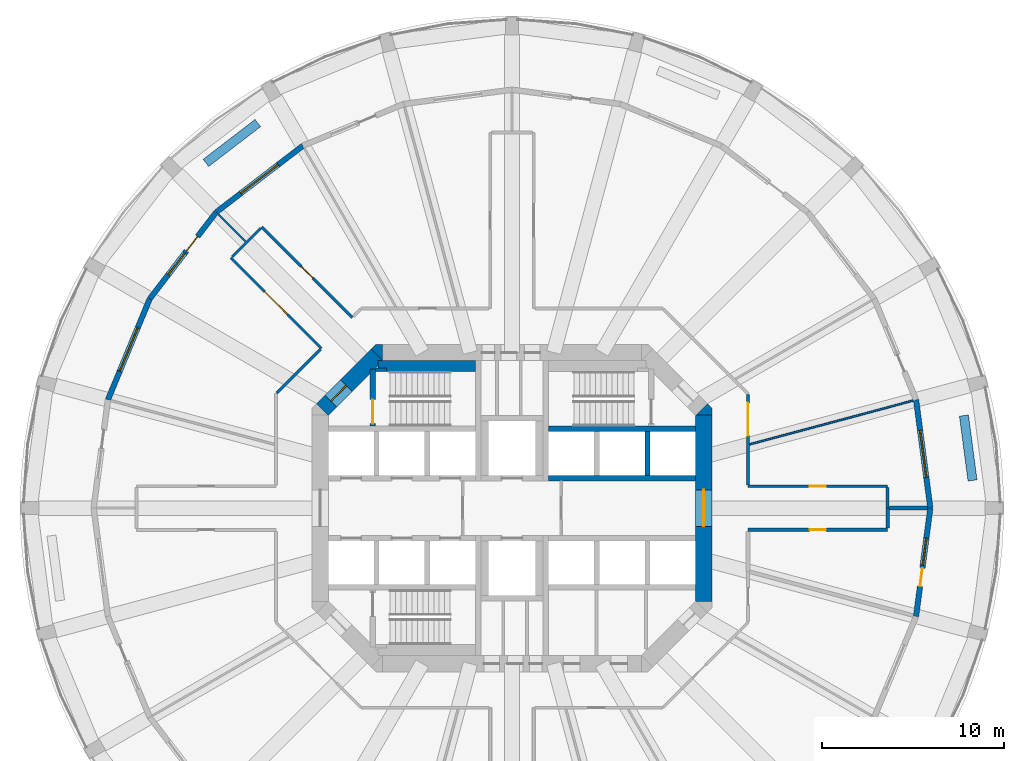
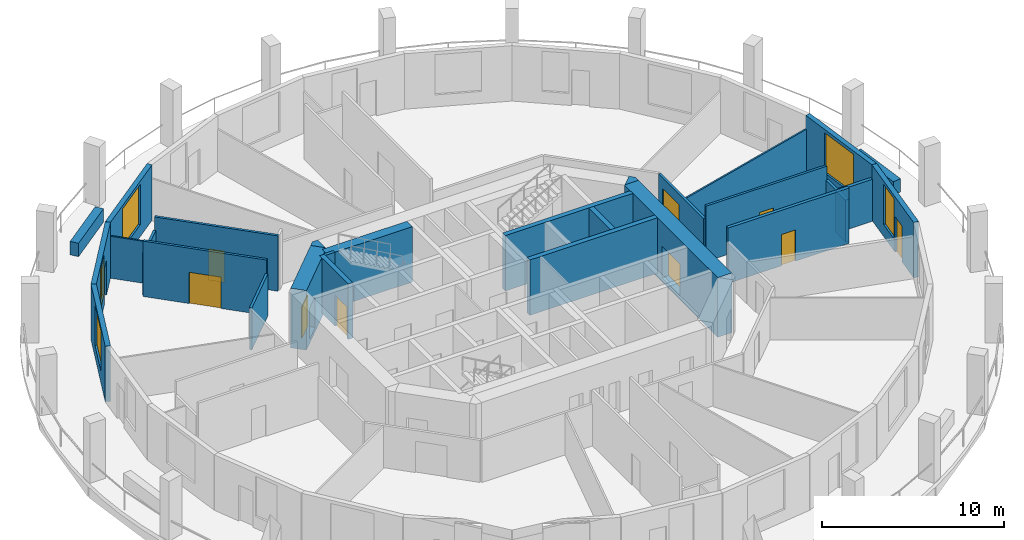
# One storey, part 5 of 9: 29 walls, 10 doors, 5 windows, 15 openings.
"""IFC4 building model written with IfcOpenShell, lengths in metres."""

from ifc_helpers import new_model, si_unit, direction, frame, frame_2d, origin, place, context, subcontext, project, spatial, polyline, rectangle, outline, extrude, material, layer, layer_set, type_object, element, fill, save


model = new_model("IFC4")

# Units and contexts
model_context = context("Model", 3, precision=1e-05, world=origin(), true_north=direction((0.0, 1.0)))
body_context = subcontext(model_context, "Body", "Model", "MODEL_VIEW")
ifc_project = project(units=[si_unit("LENGTHUNIT", "METRE"), si_unit("AREAUNIT", "SQUARE_METRE"), si_unit("VOLUMEUNIT", "CUBIC_METRE"), si_unit("PLANEANGLEUNIT", "RADIAN"), si_unit("MASSUNIT", "GRAM", prefix="KILO")], contexts=[model_context])

# Site, building, storey
site_placement = place(None, origin())
site = spatial("IfcSite", under=ifc_project, at=site_placement, CompositionType="ELEMENT")
building_placement = place(site_placement, origin())
building = spatial("IfcBuilding", under=site, at=building_placement, Name="Torre Triforio", CompositionType="ELEMENT")
storey_placement = place(building_placement, frame((0.0, 0.0, 71.0)))
storey = spatial("IfcBuildingStorey", under=building, at=storey_placement, Name="L15", CompositionType="ELEMENT", Elevation=71.0)

# Wall, opening, door
ifc_material_1 = material(Name="Concrete C60", Category="concrete")
ifc_layer_1 = layer(ifc_material_1, 0.89990234375)
ifc_layer_set_1 = layer_set([ifc_layer_1], Name="Concrete C60")
wall_type_1 = type_object("IfcWallType", Name="Core wall 900 mm C60 EI 120", PredefinedType="SHEAR", material=ifc_layer_set_1)
wall_1_placement = place(storey_placement, frame((10.550048828125, -5.1298828125, -0.280029296875), z_axis=(0.0, 0.0, 1.0), x_axis=(0.0, 1.0, 0.0)))
wall_1 = element("IfcWall", 1, at=wall_1_placement, inside=storey, type_object=wall_type_1, Name="Core wall", PredefinedType="SHEAR", context=body_context, shape_type="SweptSolid", body=[
    extrude(rectangle(XDim=10.259765625, YDim=0.89990234375, at=frame_2d((5.1298828125, 0.0))), origin(), (0.0, 0.0, 1.0), 4.0),
])
opening_1_placement = place(wall_1_placement, frame((4.1298828125, 0.0, 0.280029296875)))
opening_1 = element("IfcOpeningElement", 2, at=opening_1_placement, cuts=wall_1, Name="Opening E-RING", PredefinedType="OPENING", context=body_context, shape_type="SweptSolid", body=[
    extrude(rectangle(XDim=2.0, YDim=2.10009765625, at=frame_2d((1.0, 1.050048828125))), frame((0.0, 0.4599609375, 0.0), z_axis=(0.0, -1.0, 0.0), x_axis=(1.0, 0.0, 0.0)), (0.0, 0.0, 1.0), 0.919921875),
])
ifc_material_2 = material(Name="Hollow metal fire door leaf")
door_type_1 = type_object("IfcDoorType", Name="Lobby door 2000 x 2100 EI 60", OperationType="DOUBLE_DOOR_SINGLE_SWING", PredefinedType="DOOR", material=ifc_material_2)
door_1_placement = place(opening_1_placement, origin())
door_1 = element("IfcDoor", 3, at=door_1_placement, inside=storey, type_object=door_type_1, Name="Core door E-RING", OperationType="DOUBLE_DOOR_SINGLE_SWING", OverallHeight=2.10009765625, OverallWidth=2.0, PredefinedType="DOOR", context=body_context, shape_type="SweptSolid", body=[
    extrude(rectangle(XDim=2.0, YDim=2.10009765625, at=frame_2d((1.0, 1.050048828125))), frame((0.0, 0.02490234375, 0.0), z_axis=(0.0, -1.0, 0.0), x_axis=(1.0, 0.0, 0.0)), (0.0, 0.0, 1.0), 0.050048828125),
])
fill(opening_1, door_1)

wall_2_placement = place(storey_placement, frame((-10.418212890625, 5.418212890625, -0.280029296875), z_axis=(0.0, 0.0, 1.0), x_axis=(0.707106781187, 0.707106781187, 0.0)))
wall_2 = element("IfcWall", 4, at=wall_2_placement, inside=storey, type_object=wall_type_1, Name="Core wall", PredefinedType="SHEAR", context=body_context, shape_type="SweptSolid", body=[
    extrude(rectangle(XDim=4.24267578125, YDim=0.89990234375, at=frame_2d((2.121337890625, 0.0))), origin(), (0.0, 0.0, 1.0), 4.0),
])
opening_2_placement = place(wall_2_placement, frame((0.64990234375, 0.0, 0.280029296875)))
opening_2 = element("IfcOpeningElement", 5, at=opening_2_placement, cuts=wall_2, Name="Opening ST1-EXIT", PredefinedType="OPENING", context=body_context, shape_type="SweptSolid", body=[
    extrude(rectangle(XDim=1.199951171875, YDim=2.10009765625, at=frame_2d((0.60009765625, 1.050048828125))), frame((0.0, 0.4599609375, 0.0), z_axis=(0.0, -1.0, 0.0), x_axis=(1.0, 0.0, 0.0)), (0.0, 0.0, 1.0), 0.919921875),
])
door_type_2 = type_object("IfcDoorType", Name="Stair lobby door 1200 x 2100 EI 60", OperationType="NOTDEFINED", PredefinedType="DOOR", material=ifc_material_2)
door_2_placement = place(opening_2_placement, origin())
door_2 = element("IfcDoor", 6, at=door_2_placement, inside=storey, type_object=door_type_2, Name="Core door ST1-EXIT", OperationType="SINGLE_SWING_RIGHT", OverallHeight=2.10009765625, OverallWidth=1.199951171875, PredefinedType="DOOR", context=body_context, shape_type="SweptSolid", body=[
    extrude(rectangle(XDim=1.199951171875, YDim=2.10009765625, at=frame_2d((0.60009765625, 1.050048828125))), frame((0.0, 0.02490234375, 0.0), z_axis=(0.0, -1.0, 0.0), x_axis=(1.0, 0.0, 0.0)), (0.0, 0.0, 1.0), 0.050048828125),
])
fill(opening_2, door_2)

# Walls
wall_3_placement = place(storey_placement, frame((0.0, 0.0, -0.280029296875)))
element("IfcWall", 7, at=wall_3_placement, inside=storey, type_object=wall_type_1, Name="Core wall", PredefinedType="SHEAR", context=body_context, shape_type="SweptSolid", body=[
    extrude(outline(polyline([(11.0, 5.472900390625), (11.0, 5.1298828125), (10.1298828125, 5.1298828125), (10.736328125, 5.736328125), (11.0, 5.472900390625)])), origin(), (0.0, 0.0, 1.0), 4.0),
])
wall_4_placement = place(storey_placement, frame((0.0, 0.0, -0.280029296875)))
element("IfcWall", 8, at=wall_4_placement, inside=storey, type_object=wall_type_1, Name="Core wall", PredefinedType="SHEAR", context=body_context, shape_type="SweptSolid", body=[
    extrude(outline(polyline([(-7.472900390625, 9.0), (-7.1298828125, 9.0), (-7.1298828125, 8.1298828125), (-7.736328125, 8.736328125), (-7.472900390625, 9.0)])), origin(), (0.0, 0.0, 1.0), 4.0),
])
ifc_material_3 = material(Name="Plasterboard on metal studs")
ifc_layer_2 = layer(ifc_material_3, 0.14990234375)
ifc_layer_set_2 = layer_set([ifc_layer_2], Name="Plasterboard on metal studs")
wall_type_2 = type_object("IfcWallType", Name="Corridor and tenancy wall 150 mm EI 60", PredefinedType="PARTITIONING", material=ifc_layer_set_2)
wall_5_placement = place(storey_placement, frame((-12.93798828125, 6.327880859375, 0.0), z_axis=(0.0, 0.0, 1.0), x_axis=(0.707106781187, 0.707106781187, 0.0)))
element("IfcWall", 9, at=wall_5_placement, inside=storey, type_object=wall_type_2, Name="Partition 7", PredefinedType="PARTITIONING", context=body_context, shape_type="SweptSolid", body=[
    extrude(rectangle(XDim=3.399169921875, YDim=0.14990234375, at=frame_2d((1.69970703125, 0.0))), origin(), (0.0, 0.0, 1.0), 2.820068359375),
])

# Wall, opening, door
wall_6_placement = place(storey_placement, frame((-10.4814453125, 8.784423828125, 0.0), z_axis=(0.0, 0.0, 1.0), x_axis=(-0.707124155885, 0.707089406061, 0.0)))
wall_6 = element("IfcWall", 10, at=wall_6_placement, inside=storey, type_object=wall_type_2, Name="Partition 8", PredefinedType="PARTITIONING", context=body_context, shape_type="SweptSolid", body=[
    extrude(rectangle(XDim=7.025634765625, YDim=0.14990234375, at=frame_2d((3.5126953125, 0.0))), origin(), (0.0, 0.0, 1.0), 3.719970703125),
])
opening_3_placement = place(wall_6_placement, frame((2.61279296875, 0.0, 0.0)))
opening_3 = element("IfcOpeningElement", 11, at=opening_3_placement, cuts=wall_6, Name="Opening N5-05", PredefinedType="OPENING", context=body_context, shape_type="SweptSolid", body=[
    extrude(rectangle(XDim=1.800048828125, YDim=2.10009765625, at=frame_2d((0.89990234375, 1.050048828125))), frame((0.0, 0.0849609375, 0.0), z_axis=(0.0, -1.0, 0.0), x_axis=(1.0, 0.0, 0.0)), (0.0, 0.0, 1.0), 0.169921875),
])
ifc_material_4 = material(Name="Timber", Category="wood")
door_type_3 = type_object("IfcDoorType", Name="Door 1800 x 2100 double leaf EI 30", OperationType="DOUBLE_DOOR_SINGLE_SWING", PredefinedType="DOOR", material=ifc_material_4)
door_3_placement = place(opening_3_placement, origin())
door_3 = element("IfcDoor", 12, at=door_3_placement, inside=storey, type_object=door_type_3, Name="Door N5-05", OperationType="DOUBLE_DOOR_SINGLE_SWING", OverallHeight=2.10009765625, OverallWidth=1.800048828125, PredefinedType="DOOR", context=body_context, shape_type="SweptSolid", body=[
    extrude(rectangle(XDim=1.800048828125, YDim=2.10009765625, at=frame_2d((0.89990234375, 1.050048828125))), frame((0.0, 0.02490234375, 0.0), z_axis=(0.0, -1.0, 0.0), x_axis=(1.0, 0.0, 0.0)), (0.0, 0.0, 1.0), 0.050048828125),
])
fill(opening_3, door_3)

# Wall
wall_7_placement = place(storey_placement, frame((-15.396240234375, 13.805419921875, 0.0), z_axis=(0.0, 0.0, 1.0), x_axis=(0.707106781187, 0.707106781187, 0.0)))
element("IfcWall", 13, at=wall_7_placement, inside=storey, type_object=wall_type_2, Name="Partition 9", PredefinedType="PARTITIONING", context=body_context, shape_type="SweptSolid", body=[
    extrude(rectangle(XDim=2.249755859375, YDim=0.14990234375, at=frame_2d((1.125, 0.0))), origin(), (0.0, 0.0, 1.0), 2.820068359375),
])

# Wall, opening, door
wall_8_placement = place(storey_placement, frame((-13.752197265625, 15.449462890625, 0.0), z_axis=(0.0, 0.0, 1.0), x_axis=(0.707089406061, -0.707124155885, 0.0)))
wall_8 = element("IfcWall", 14, at=wall_8_placement, inside=storey, type_object=wall_type_2, Name="Partition 10", PredefinedType="PARTITIONING", context=body_context, shape_type="SweptSolid", body=[
    extrude(rectangle(XDim=7.025634765625, YDim=0.14990234375, at=frame_2d((3.5126953125, 0.0))), origin(), (0.0, 0.0, 1.0), 3.719970703125),
])
opening_4_placement = place(wall_8_placement, frame((3.062744140625, 0.0, 0.0)))
opening_4 = element("IfcOpeningElement", 15, at=opening_4_placement, cuts=wall_8, Name="Opening N5-04", PredefinedType="OPENING", context=body_context, shape_type="SweptSolid", body=[
    extrude(rectangle(XDim=0.89990234375, YDim=2.10009765625, at=frame_2d((0.449951171875, 1.050048828125))), frame((0.0, 0.0849609375, 0.0), z_axis=(0.0, -1.0, 0.0), x_axis=(1.0, 0.0, 0.0)), (0.0, 0.0, 1.0), 0.169921875),
])
door_type_4 = type_object("IfcDoorType", Name="Door 900 x 2100 single leaf EI 30", OperationType="NOTDEFINED", PredefinedType="DOOR", material=ifc_material_4)
door_4_placement = place(opening_4_placement, origin())
door_4 = element("IfcDoor", 16, at=door_4_placement, inside=storey, type_object=door_type_4, Name="Door N5-04", OperationType="SINGLE_SWING_LEFT", OverallHeight=2.10009765625, OverallWidth=0.89990234375, PredefinedType="DOOR", context=body_context, shape_type="SweptSolid", body=[
    extrude(rectangle(XDim=0.89990234375, YDim=2.10009765625, at=frame_2d((0.449951171875, 1.050048828125))), frame((0.0, 0.02490234375, 0.0), z_axis=(0.0, -1.0, 0.0), x_axis=(1.0, 0.0, 0.0)), (0.0, 0.0, 1.0), 0.050048828125),
])
fill(opening_4, door_4)

wall_9_placement = place(storey_placement, frame((12.97509765625, 6.23828125, 0.0), z_axis=(0.0, 0.0, 1.0), x_axis=(0.0, -1.0, 0.0)))
wall_9 = element("IfcWall", 17, at=wall_9_placement, inside=storey, type_object=wall_type_2, Name="Partition 18", PredefinedType="PARTITIONING", context=body_context, shape_type="SweptSolid", body=[
    extrude(rectangle(XDim=4.96337890625, YDim=0.14990234375, at=frame_2d((2.481689453125, 0.0))), origin(), (0.0, 0.0, 1.0), 2.820068359375),
])
opening_5_placement = place(wall_9_placement, frame((0.455810546875, 0.0, 0.0)))
opening_5 = element("IfcOpeningElement", 18, at=opening_5_placement, cuts=wall_9, Name="Opening N5-16", PredefinedType="OPENING", context=body_context, shape_type="SweptSolid", body=[
    extrude(rectangle(XDim=1.800048828125, YDim=2.10009765625, at=frame_2d((0.89990234375, 1.050048828125))), frame((0.0, 0.0849609375, 0.0), z_axis=(0.0, -1.0, 0.0), x_axis=(1.0, 0.0, 0.0)), (0.0, 0.0, 1.0), 0.169921875),
])
door_5_placement = place(opening_5_placement, origin())
door_5 = element("IfcDoor", 19, at=door_5_placement, inside=storey, type_object=door_type_3, Name="Door N5-16", OperationType="DOUBLE_DOOR_SINGLE_SWING", OverallHeight=2.10009765625, OverallWidth=1.800048828125, PredefinedType="DOOR", context=body_context, shape_type="SweptSolid", body=[
    extrude(rectangle(XDim=1.800048828125, YDim=2.10009765625, at=frame_2d((0.89990234375, 1.050048828125))), frame((0.0, 0.02490234375, 0.0), z_axis=(0.0, -1.0, 0.0), x_axis=(1.0, 0.0, 0.0)), (0.0, 0.0, 1.0), 0.050048828125),
])
fill(opening_5, door_5)

wall_10_placement = place(storey_placement, frame((12.97509765625, 1.199951171875, 0.0), z_axis=(0.0, 0.0, 1.0), x_axis=(1.0, 0.0, 0.0)))
wall_10 = element("IfcWall", 20, at=wall_10_placement, inside=storey, type_object=wall_type_2, Name="Partition 19", PredefinedType="PARTITIONING", context=body_context, shape_type="SweptSolid", body=[
    extrude(rectangle(XDim=7.673583984375, YDim=0.14990234375, at=frame_2d((3.8369140625, 0.0))), origin(), (0.0, 0.0, 1.0), 3.719970703125),
])
opening_6_placement = place(wall_10_placement, frame((3.386962890625, 0.0, 0.0)))
opening_6 = element("IfcOpeningElement", 21, at=opening_6_placement, cuts=wall_10, Name="Opening N5-15", PredefinedType="OPENING", context=body_context, shape_type="SweptSolid", body=[
    extrude(rectangle(XDim=0.89990234375, YDim=2.10009765625, at=frame_2d((0.449951171875, 1.050048828125))), frame((0.0, 0.0849609375, 0.0), z_axis=(0.0, -1.0, 0.0), x_axis=(1.0, 0.0, 0.0)), (0.0, 0.0, 1.0), 0.169921875),
])
door_6_placement = place(opening_6_placement, origin())
door_6 = element("IfcDoor", 22, at=door_6_placement, inside=storey, type_object=door_type_4, Name="Door N5-15", OperationType="SINGLE_SWING_RIGHT", OverallHeight=2.10009765625, OverallWidth=0.89990234375, PredefinedType="DOOR", context=body_context, shape_type="SweptSolid", body=[
    extrude(rectangle(XDim=0.89990234375, YDim=2.10009765625, at=frame_2d((0.449951171875, 1.050048828125))), frame((0.0, 0.02490234375, 0.0), z_axis=(0.0, -1.0, 0.0), x_axis=(1.0, 0.0, 0.0)), (0.0, 0.0, 1.0), 0.050048828125),
])
fill(opening_6, door_6)

# Walls
wall_11_placement = place(storey_placement, frame((20.648681640625, 1.125, 0.0), z_axis=(0.0, 0.0, 1.0), x_axis=(0.0, -1.0, 0.0)))
element("IfcWall", 23, at=wall_11_placement, inside=storey, type_object=wall_type_2, Name="Partition 20", PredefinedType="PARTITIONING", context=body_context, shape_type="SweptSolid", body=[
    extrude(rectangle(XDim=1.125, YDim=0.14990234375, at=frame_2d((0.5625, 0.0))), origin(), (0.0, 0.0, 1.0), 2.820068359375),
])
ifc_layer_3 = layer(ifc_material_3, 0.10009765625)
ifc_layer_set_3 = layer_set([ifc_layer_3], Name="Plasterboard on metal studs")
wall_type_3 = type_object("IfcWallType", Name="Partition 100 mm board on metal studs", PredefinedType="PARTITIONING", material=ifc_layer_set_3)
wall_12_placement = place(storey_placement, frame((13.064208984375, 3.50048828125, 0.0), z_axis=(0.0, 0.0, 1.0), x_axis=(0.965922655056, 0.258830880017, 0.0)))
element("IfcWall", 24, at=wall_12_placement, inside=storey, type_object=wall_type_3, Name="Partition 32", PredefinedType="PARTITIONING", context=body_context, shape_type="SweptSolid", body=[
    extrude(rectangle(XDim=9.311767578125, YDim=0.10009765625, at=frame_2d((4.65576171875, 0.0))), origin(), (0.0, 0.0, 1.0), 2.820068359375),
])
wall_13_placement = place(storey_placement, frame((-14.65380859375, 14.65380859375, 0.0), z_axis=(0.0, 0.0, 1.0), x_axis=(-0.707106781187, 0.707106781187, 0.0)))
element("IfcWall", 25, at=wall_13_placement, inside=storey, type_object=wall_type_3, Name="Partition 37", PredefinedType="PARTITIONING", context=body_context, shape_type="SweptSolid", body=[
    extrude(rectangle(XDim=2.113037109375, YDim=0.10009765625, at=frame_2d((1.056640625, 0.0))), origin(), (0.0, 0.0, 1.0), 2.820068359375),
])
ifc_material_5 = material(Name="Masonry block", Category="masonry")
ifc_layer_4 = layer(ifc_material_5, 0.199951171875)
ifc_layer_set_4 = layer_set([ifc_layer_4], Name="Masonry block")
wall_type_4 = type_object("IfcWallType", Name="Plant room wall 200 mm block EI 120", PredefinedType="PARTITIONING", material=ifc_layer_set_4)
wall_14_placement = place(storey_placement, frame((20.648681640625, 0.0, 0.0), z_axis=(0.0, 0.0, 1.0), x_axis=(0.0, -1.0, 0.0)))
element("IfcWall", 26, at=wall_14_placement, inside=storey, type_object=wall_type_4, Name="Partition 21", PredefinedType="PARTITIONING", context=body_context, shape_type="SweptSolid", body=[
    extrude(rectangle(XDim=1.10009765625, YDim=0.199951171875, at=frame_2d((0.550048828125, 0.0))), origin(), (0.0, 0.0, 1.0), 2.820068359375),
])

# Wall, opening, door
wall_15_placement = place(storey_placement, frame((20.648681640625, -1.199951171875, 0.0), z_axis=(0.0, 0.0, 1.0), x_axis=(-1.0, 0.0, 0.0)))
wall_15 = element("IfcWall", 27, at=wall_15_placement, inside=storey, type_object=wall_type_4, Name="Partition 22", PredefinedType="PARTITIONING", context=body_context, shape_type="SweptSolid", body=[
    extrude(rectangle(XDim=7.673583984375, YDim=0.199951171875, at=frame_2d((3.8369140625, 0.0))), origin(), (0.0, 0.0, 1.0), 3.719970703125),
])
opening_7_placement = place(wall_15_placement, frame((3.386962890625, 0.0, 0.0)))
opening_7 = element("IfcOpeningElement", 28, at=opening_7_placement, cuts=wall_15, Name="Opening N5-14", PredefinedType="OPENING", context=body_context, shape_type="SweptSolid", body=[
    extrude(rectangle(XDim=0.89990234375, YDim=2.10009765625, at=frame_2d((0.449951171875, 1.050048828125))), frame((0.0, 0.10986328125, 0.0), z_axis=(0.0, -1.0, 0.0), x_axis=(1.0, 0.0, 0.0)), (0.0, 0.0, 1.0), 0.219970703125),
])
door_type_5 = type_object("IfcDoorType", Name="Door 900 x 2100 single leaf EI 60", OperationType="NOTDEFINED", PredefinedType="DOOR", material=ifc_material_2)
door_7_placement = place(opening_7_placement, origin())
door_7 = element("IfcDoor", 29, at=door_7_placement, inside=storey, type_object=door_type_5, Name="Door N5-14", OperationType="SINGLE_SWING_RIGHT", OverallHeight=2.10009765625, OverallWidth=0.89990234375, PredefinedType="DOOR", context=body_context, shape_type="SweptSolid", body=[
    extrude(rectangle(XDim=0.89990234375, YDim=2.10009765625, at=frame_2d((0.449951171875, 1.050048828125))), frame((0.0, 0.02490234375, 0.0), z_axis=(0.0, -1.0, 0.0), x_axis=(1.0, 0.0, 0.0)), (0.0, 0.0, 1.0), 0.050048828125),
])
fill(opening_7, door_7)

# Walls
wall_16_placement = place(storey_placement, frame((20.748779296875, 0.0, 0.0), z_axis=(0.0, 0.0, 1.0), x_axis=(1.0, 0.0, 0.0)))
element("IfcWall", 30, at=wall_16_placement, inside=storey, type_object=wall_type_4, Name="Partition 31", PredefinedType="PARTITIONING", context=body_context, shape_type="SweptSolid", body=[
    extrude(rectangle(XDim=2.087890625, YDim=0.199951171875, at=frame_2d((1.0439453125, 0.0))), origin(), (0.0, 0.0, 1.0), 2.820068359375),
])
ifc_material_6 = material(Name="Limestone cladding", Category="masonry")
ifc_layer_5 = layer(ifc_material_6, 0.10009765625)
ifc_material_7 = material(Name="Concrete C40", Category="concrete")
ifc_layer_6 = layer(ifc_material_7, 0.39990234375)
ifc_layer_set_5 = layer_set([ifc_layer_5, ifc_layer_6], Name="Limestone cladding / Concrete C40")
wall_type_5 = type_object("IfcWallType", Name="Planter wall 500", PredefinedType="PARAPET", material=ifc_layer_set_5)
wall_17_placement = place(storey_placement, frame((25.318603515625, 1.517578125, 0.0), z_axis=(0.0, 0.0, 1.0), x_axis=(-0.130542222659, 0.991442750795, 0.0)))
element("IfcWall", 31, at=wall_17_placement, inside=storey, type_object=wall_type_5, Name="Planter L15 bay 01", PredefinedType="PARAPET", context=body_context, shape_type="SweptSolid", body=[
    extrude(rectangle(XDim=3.60009765625, YDim=0.5, at=frame_2d((1.800048828125, 0.0))), origin(), (0.0, 0.0, 1.0), 0.89990234375),
])
wall_18_placement = place(storey_placement, frame((-13.9736328125, 21.16748046875, 0.0), z_axis=(0.0, 0.0, 1.0), x_axis=(-0.793359599829, -0.608753271334, 0.0)))
element("IfcWall", 32, at=wall_18_placement, inside=storey, type_object=wall_type_5, Name="Planter L15 bay 09", PredefinedType="PARAPET", context=body_context, shape_type="SweptSolid", body=[
    extrude(rectangle(XDim=3.599853515625, YDim=0.5, at=frame_2d((1.7998046875, 0.0))), origin(), (0.0, 0.0, 1.0), 0.89990234375),
])
ifc_layer_7 = layer(ifc_material_1, 0.300048828125)
ifc_layer_set_6 = layer_set([ifc_layer_7], Name="Concrete C60")
wall_type_6 = type_object("IfcWallType", Name="Shaft wall 300 mm C60 EI 120", PredefinedType="SOLIDWALL", material=ifc_layer_set_6)
for number, where, z_axis, x_axis, name in (
    (33, (2.0, 4.35009765625, 0.0), (0.0, 0.0, 1.0), (1.0, 0.0, 0.0), "Shaft wall"),
    (34, (2.0, 1.64990234375, 0.0), (0.0, 0.0, 1.0), (1.0, 0.0, 0.0), "Shaft wall"),
):
    element("IfcWall", number, at=place(storey_placement, frame(where, z_axis=z_axis, x_axis=x_axis)), inside=storey, type_object=wall_type_6, Name=name, PredefinedType="SOLIDWALL", context=body_context, shape_type="SweptSolid", body=[
        extrude(rectangle(XDim=8.10009765625, YDim=0.300048828125, at=frame_2d((4.050048828125, 0.0))), origin(), (0.0, 0.0, 1.0), 3.719970703125),
    ])
wall_19_placement = place(storey_placement, frame((7.449951171875, 1.800048828125, 0.0), z_axis=(0.0, 0.0, 1.0), x_axis=(0.0, 1.0, 0.0)))
element("IfcWall", 35, at=wall_19_placement, inside=storey, type_object=wall_type_6, Name="Shaft wall", PredefinedType="SOLIDWALL", context=body_context, shape_type="SweptSolid", body=[
    extrude(rectangle(XDim=2.39990234375, YDim=0.300048828125, at=frame_2d((1.199951171875, 0.0))), origin(), (0.0, 0.0, 1.0), 3.719970703125),
])
ifc_layer_8 = layer(ifc_material_1, 0.199951171875)
ifc_layer_set_7 = layer_set([ifc_layer_8], Name="Concrete C60")
wall_type_7 = type_object("IfcWallType", Name="Stair wall 200 mm C60 EI 120", PredefinedType="SHEAR", material=ifc_layer_set_7)
wall_20_placement = place(storey_placement, frame((-7.5, 7.60009765625, 0.0), z_axis=(0.0, 0.0, 1.0), x_axis=(1.0, 0.0, 0.0)))
element("IfcWall", 36, at=wall_20_placement, inside=storey, type_object=wall_type_7, Name="Stair wall", PredefinedType="SHEAR", context=body_context, shape_type="SweptSolid", body=[
    extrude(rectangle(XDim=0.60009765625, YDim=0.199951171875, at=frame_2d((0.300048828125, 0.0))), origin(), (0.0, 0.0, 1.0), 3.719970703125),
])

# Wall, opening, door
ifc_layer_9 = layer(ifc_material_1, 0.300048828125)
ifc_layer_set_8 = layer_set([ifc_layer_9], Name="Concrete C60")
wall_type_8 = type_object("IfcWallType", Name="Stair wall 300 mm C60 EI 120", PredefinedType="SHEAR", material=ifc_layer_set_8)
wall_21_placement = place(storey_placement, frame((-7.64990234375, 4.5, 0.0), z_axis=(0.0, 0.0, 1.0), x_axis=(0.0, 1.0, 0.0)))
wall_21 = element("IfcWall", 37, at=wall_21_placement, inside=storey, type_object=wall_type_8, Name="Stair wall", PredefinedType="SHEAR", context=body_context, shape_type="SweptSolid", body=[
    extrude(rectangle(XDim=3.139892578125, YDim=0.300048828125, at=frame_2d((1.56982421875, 0.0))), origin(), (0.0, 0.0, 1.0), 3.719970703125),
])
opening_8_placement = place(wall_21_placement, frame((0.139892578125, 0.0, 0.0)))
opening_8 = element("IfcOpeningElement", 38, at=opening_8_placement, cuts=wall_21, Name="Opening ST1-STA", PredefinedType="OPENING", context=body_context, shape_type="SweptSolid", body=[
    extrude(rectangle(XDim=1.320068359375, YDim=2.10009765625, at=frame_2d((0.66015625, 1.050048828125))), frame((0.0, 0.159912109375, 0.0), z_axis=(0.0, -1.0, 0.0), x_axis=(1.0, 0.0, 0.0)), (0.0, 0.0, 1.0), 0.320068359375),
])
door_type_6 = type_object("IfcDoorType", Name="Stair door 1320 x 2100 EI 90", OperationType="DOUBLE_DOOR_SINGLE_SWING", PredefinedType="DOOR", material=ifc_material_2)
door_8_placement = place(opening_8_placement, origin())
door_8 = element("IfcDoor", 39, at=door_8_placement, inside=storey, type_object=door_type_6, Name="Core door ST1-ST", OperationType="DOUBLE_DOOR_SINGLE_SWING", OverallHeight=2.10009765625, OverallWidth=1.320068359375, PredefinedType="DOOR", context=body_context, shape_type="SweptSolid", body=[
    extrude(rectangle(XDim=1.320068359375, YDim=2.10009765625, at=frame_2d((0.66015625, 1.050048828125))), frame((0.0, 0.02490234375, 0.0), z_axis=(0.0, -1.0, 0.0), x_axis=(1.0, 0.0, 0.0)), (0.0, 0.0, 1.0), 0.050048828125),
])
fill(opening_8, door_8)

# Wall
ifc_layer_10 = layer(ifc_material_1, 0.60009765625)
ifc_layer_set_9 = layer_set([ifc_layer_10], Name="Concrete C60")
wall_type_9 = type_object("IfcWallType", Name="Stair wall 600 mm C60 EI 120", PredefinedType="SHEAR", material=ifc_layer_set_9)
wall_22_placement = place(storey_placement, frame((-7.3701171875, 7.800048828125, 0.0), z_axis=(0.0, 0.0, 1.0), x_axis=(1.0, 0.0, 0.0)))
element("IfcWall", 40, at=wall_22_placement, inside=storey, type_object=wall_type_9, Name="Stair wall", PredefinedType="SHEAR", context=body_context, shape_type="SweptSolid", body=[
    extrude(rectangle(XDim=5.3701171875, YDim=0.60009765625, at=frame_2d((2.68505859375, 0.0))), origin(), (0.0, 0.0, 1.0), 3.719970703125),
])

# Wall, opening, window
ifc_layer_11 = layer(ifc_material_6, 0.10009765625)
ifc_layer_12 = layer(ifc_material_7, 0.199951171875)
ifc_layer_set_10 = layer_set([ifc_layer_11, ifc_layer_12], Name="Limestone cladding / Concrete C40")
wall_type_10 = type_object("IfcWallType", Name="Stone-faced composite wall 300", PredefinedType="STANDARD", material=ifc_layer_set_10)
wall_23_placement = place(storey_placement, frame((23.0, 0.0, 0.0), z_axis=(0.0, 0.0, 1.0), x_axis=(-0.130522880875, 0.991445297315, 0.0)))
wall_23 = element("IfcWall", 41, at=wall_23_placement, inside=storey, type_object=wall_type_10, Name="External wall L15 bay 01", PredefinedType="STANDARD", context=body_context, shape_type="SweptSolid", body=[
    extrude(rectangle(XDim=6.004150390625, YDim=0.300048828125, at=frame_2d((3.001953125, 0.0))), origin(), (0.0, 0.0, 1.0), 3.719970703125),
])
opening_9_placement = place(wall_23_placement, frame((1.7021484375, 0.0, 0.800048828125)))
opening_9 = element("IfcOpeningElement", 42, at=opening_9_placement, cuts=wall_23, Name="Opening N5-W01", PredefinedType="OPENING", context=body_context, shape_type="SweptSolid", body=[
    extrude(rectangle(XDim=2.60009765625, YDim=2.699951171875, at=frame_2d((1.300048828125, 1.35009765625))), frame((0.0, 0.159912109375, 0.0), z_axis=(0.0, -1.0, 0.0), x_axis=(1.0, 0.0, 0.0)), (0.0, 0.0, 1.0), 0.320068359375),
])
ifc_material_8 = material(Name="Aluminium frame with clear double glazing", Category="aluminium")
window_type_1 = type_object("IfcWindowType", Name="Punched window 2600 x 2700", PartitioningType="DOUBLE_PANEL_VERTICAL", PredefinedType="WINDOW", material=ifc_material_8)
window_1_placement = place(opening_9_placement, origin())
window_1 = element("IfcWindow", 43, at=window_1_placement, inside=storey, type_object=window_type_1, Name="Window EWN2 L15 bay 01", OverallHeight=2.699951171875, OverallWidth=2.60009765625, PartitioningType="SINGLE_PANEL", PredefinedType="WINDOW", context=body_context, shape_type="SweptSolid", body=[
    extrude(rectangle(XDim=2.60009765625, YDim=2.699951171875, at=frame_2d((1.300048828125, 1.35009765625))), frame((0.0, 0.030029296875, 0.0), z_axis=(0.0, -1.0, 0.0), x_axis=(1.0, 0.0, 0.0)), (0.0, 0.0, 1.0), 0.06005859375),
])
fill(opening_9, window_1)

wall_24_placement = place(storey_placement, frame((-11.5, 19.918701171875, 0.0), z_axis=(0.0, 0.0, 1.0), x_axis=(-0.793339924758, -0.608778912074, 0.0)))
wall_24 = element("IfcWall", 44, at=wall_24_placement, inside=storey, type_object=wall_type_10, Name="External wall L15 bay 09", PredefinedType="STANDARD", context=body_context, shape_type="SweptSolid", body=[
    extrude(rectangle(XDim=6.004150390625, YDim=0.300048828125, at=frame_2d((3.001953125, 0.0))), origin(), (0.0, 0.0, 1.0), 3.719970703125),
])
opening_10_placement = place(wall_24_placement, frame((1.7021484375, 0.0, 0.800048828125)))
opening_10 = element("IfcOpeningElement", 45, at=opening_10_placement, cuts=wall_24, Name="Opening N5-W09", PredefinedType="OPENING", context=body_context, shape_type="SweptSolid", body=[
    extrude(rectangle(XDim=2.60009765625, YDim=2.699951171875, at=frame_2d((1.300048828125, 1.35009765625))), frame((0.0, 0.159912109375, 0.0), z_axis=(0.0, -1.0, 0.0), x_axis=(1.0, 0.0, 0.0)), (0.0, 0.0, 1.0), 0.320068359375),
])
window_2_placement = place(opening_10_placement, origin())
window_2 = element("IfcWindow", 46, at=window_2_placement, inside=storey, type_object=window_type_1, Name="Window EWN2 L15 bay 09", OverallHeight=2.699951171875, OverallWidth=2.60009765625, PartitioningType="SINGLE_PANEL", PredefinedType="WINDOW", context=body_context, shape_type="SweptSolid", body=[
    extrude(rectangle(XDim=2.60009765625, YDim=2.699951171875, at=frame_2d((1.300048828125, 1.35009765625))), frame((0.0, 0.030029296875, 0.0), z_axis=(0.0, -1.0, 0.0), x_axis=(1.0, 0.0, 0.0)), (0.0, 0.0, 1.0), 0.06005859375),
])
fill(opening_10, window_2)

# Wall, openings, door, window
wall_25_placement = place(storey_placement, frame((-16.263427734375, 16.263427734375, 0.0), z_axis=(0.0, 0.0, 1.0), x_axis=(-0.608778912074, -0.793339924758, 0.0)))
wall_25 = element("IfcWall", 47, at=wall_25_placement, inside=storey, type_object=wall_type_10, Name="External wall L15 bay 10", PredefinedType="STANDARD", context=body_context, shape_type="SweptSolid", body=[
    extrude(rectangle(XDim=6.004150390625, YDim=0.300048828125, at=frame_2d((3.001953125, 0.0))), origin(), (0.0, 0.0, 1.0), 3.719970703125),
])
opening_11_placement = place(wall_25_placement, frame((1.677001953125, 0.0, 0.0)))
opening_11 = element("IfcOpeningElement", 48, at=opening_11_placement, cuts=wall_25, Name="Opening N5-D10", PredefinedType="OPENING", context=body_context, shape_type="SweptSolid", body=[
    extrude(rectangle(XDim=1.0, YDim=2.39990234375, at=frame_2d((0.5, 1.199951171875))), frame((0.0, 0.159912109375, 0.0), z_axis=(0.0, -1.0, 0.0), x_axis=(1.0, 0.0, 0.0)), (0.0, 0.0, 1.0), 0.320068359375),
])
opening_12_placement = place(wall_25_placement, frame((2.8271484375, 0.0, 0.800048828125)))
opening_12 = element("IfcOpeningElement", 49, at=opening_12_placement, cuts=wall_25, Name="Opening N5-W10A", PredefinedType="OPENING", context=body_context, shape_type="SweptSolid", body=[
    extrude(rectangle(XDim=1.5, YDim=2.699951171875, at=frame_2d((0.75, 1.35009765625))), frame((0.0, 0.159912109375, 0.0), z_axis=(0.0, -1.0, 0.0), x_axis=(1.0, 0.0, 0.0)), (0.0, 0.0, 1.0), 0.320068359375),
])
door_type_7 = type_object("IfcDoorType", Name="Loggia door 1000 x 2400", OperationType="NOTDEFINED", PredefinedType="DOOR", material=ifc_material_8)
door_9_placement = place(opening_11_placement, origin())
door_9 = element("IfcDoor", 50, at=door_9_placement, inside=storey, type_object=door_type_7, Name="Loggia door L15 bay 10", OperationType="SINGLE_SWING_LEFT", OverallHeight=2.39990234375, OverallWidth=1.0, PredefinedType="DOOR", context=body_context, shape_type="SweptSolid", body=[
    extrude(rectangle(XDim=1.0, YDim=2.39990234375, at=frame_2d((0.5, 1.199951171875))), frame((0.0, 0.02490234375, 0.0), z_axis=(0.0, -1.0, 0.0), x_axis=(1.0, 0.0, 0.0)), (0.0, 0.0, 1.0), 0.050048828125),
])
fill(opening_11, door_9)
window_type_2 = type_object("IfcWindowType", Name="Side window 1500 x 2700", PartitioningType="SINGLE_PANEL", PredefinedType="WINDOW", material=ifc_material_8)
window_3_placement = place(opening_12_placement, origin())
window_3 = element("IfcWindow", 51, at=window_3_placement, inside=storey, type_object=window_type_2, Name="Side window EWN12 L15 bay 10", OverallHeight=2.699951171875, OverallWidth=1.5, PartitioningType="SINGLE_PANEL", PredefinedType="WINDOW", context=body_context, shape_type="SweptSolid", body=[
    extrude(rectangle(XDim=1.5, YDim=2.699951171875, at=frame_2d((0.75, 1.35009765625))), frame((0.0, 0.030029296875, 0.0), z_axis=(0.0, -1.0, 0.0), x_axis=(1.0, 0.0, 0.0)), (0.0, 0.0, 1.0), 0.06005859375),
])
fill(opening_12, window_3)

# Wall, opening, window
wall_26_placement = place(storey_placement, frame((-19.918701171875, 11.5, 0.0), z_axis=(0.0, 0.0, 1.0), x_axis=(-0.382671411433, -0.923884511653, 0.0)))
wall_26 = element("IfcWall", 52, at=wall_26_placement, inside=storey, type_object=wall_type_10, Name="External wall L15 bay 11", PredefinedType="STANDARD", context=body_context, shape_type="SweptSolid", body=[
    extrude(rectangle(XDim=6.004150390625, YDim=0.300048828125, at=frame_2d((3.001953125, 0.0))), origin(), (0.0, 0.0, 1.0), 3.719970703125),
])
opening_13_placement = place(wall_26_placement, frame((1.7021484375, 0.0, 0.800048828125)))
opening_13 = element("IfcOpeningElement", 53, at=opening_13_placement, cuts=wall_26, Name="Opening N5-W11", PredefinedType="OPENING", context=body_context, shape_type="SweptSolid", body=[
    extrude(rectangle(XDim=2.60009765625, YDim=2.699951171875, at=frame_2d((1.300048828125, 1.35009765625))), frame((0.0, 0.159912109375, 0.0), z_axis=(0.0, -1.0, 0.0), x_axis=(1.0, 0.0, 0.0)), (0.0, 0.0, 1.0), 0.320068359375),
])
window_4_placement = place(opening_13_placement, origin())
window_4 = element("IfcWindow", 54, at=window_4_placement, inside=storey, type_object=window_type_1, Name="Window EWN2 L15 bay 11", OverallHeight=2.699951171875, OverallWidth=2.60009765625, PartitioningType="SINGLE_PANEL", PredefinedType="WINDOW", context=body_context, shape_type="SweptSolid", body=[
    extrude(rectangle(XDim=2.60009765625, YDim=2.699951171875, at=frame_2d((1.300048828125, 1.35009765625))), frame((0.0, 0.030029296875, 0.0), z_axis=(0.0, -1.0, 0.0), x_axis=(1.0, 0.0, 0.0)), (0.0, 0.0, 1.0), 0.06005859375),
])
fill(opening_13, window_4)

# Wall, openings, door, window
wall_27_placement = place(storey_placement, frame((22.21630859375, -5.952880859375, 0.0), z_axis=(0.0, 0.0, 1.0), x_axis=(0.130522880875, 0.991445297315, 0.0)))
wall_27 = element("IfcWall", 55, at=wall_27_placement, inside=storey, type_object=wall_type_10, Name="External wall L15 bay 24", PredefinedType="STANDARD", context=body_context, shape_type="SweptSolid", body=[
    extrude(rectangle(XDim=6.004150390625, YDim=0.300048828125, at=frame_2d((3.001953125, 0.0))), origin(), (0.0, 0.0, 1.0), 3.719970703125),
])
opening_14_placement = place(wall_27_placement, frame((1.677001953125, 0.0, 0.0)))
opening_14 = element("IfcOpeningElement", 56, at=opening_14_placement, cuts=wall_27, Name="Opening N5-D24", PredefinedType="OPENING", context=body_context, shape_type="SweptSolid", body=[
    extrude(rectangle(XDim=1.0, YDim=2.39990234375, at=frame_2d((0.5, 1.199951171875))), frame((0.0, 0.159912109375, 0.0), z_axis=(0.0, -1.0, 0.0), x_axis=(1.0, 0.0, 0.0)), (0.0, 0.0, 1.0), 0.320068359375),
])
opening_15_placement = place(wall_27_placement, frame((2.8271484375, 0.0, 0.800048828125)))
opening_15 = element("IfcOpeningElement", 57, at=opening_15_placement, cuts=wall_27, Name="Opening N5-W24A", PredefinedType="OPENING", context=body_context, shape_type="SweptSolid", body=[
    extrude(rectangle(XDim=1.5, YDim=2.699951171875, at=frame_2d((0.75, 1.35009765625))), frame((0.0, 0.159912109375, 0.0), z_axis=(0.0, -1.0, 0.0), x_axis=(1.0, 0.0, 0.0)), (0.0, 0.0, 1.0), 0.320068359375),
])
door_10_placement = place(opening_14_placement, origin())
door_10 = element("IfcDoor", 58, at=door_10_placement, inside=storey, type_object=door_type_7, Name="Loggia door L15 bay 24", OperationType="SINGLE_SWING_RIGHT", OverallHeight=2.39990234375, OverallWidth=1.0, PredefinedType="DOOR", context=body_context, shape_type="SweptSolid", body=[
    extrude(rectangle(XDim=1.0, YDim=2.39990234375, at=frame_2d((0.5, 1.199951171875))), frame((0.0, 0.02490234375, 0.0), z_axis=(0.0, -1.0, 0.0), x_axis=(1.0, 0.0, 0.0)), (0.0, 0.0, 1.0), 0.050048828125),
])
fill(opening_14, door_10)
window_5_placement = place(opening_15_placement, origin())
window_5 = element("IfcWindow", 59, at=window_5_placement, inside=storey, type_object=window_type_2, Name="Side window EWN12 L15 bay 24", OverallHeight=2.699951171875, OverallWidth=1.5, PartitioningType="SINGLE_PANEL", PredefinedType="WINDOW", context=body_context, shape_type="SweptSolid", body=[
    extrude(rectangle(XDim=1.5, YDim=2.699951171875, at=frame_2d((0.75, 1.35009765625))), frame((0.0, 0.030029296875, 0.0), z_axis=(0.0, -1.0, 0.0), x_axis=(1.0, 0.0, 0.0)), (0.0, 0.0, 1.0), 0.06005859375),
])
fill(opening_15, window_5)

save(model, "model.ifc")
